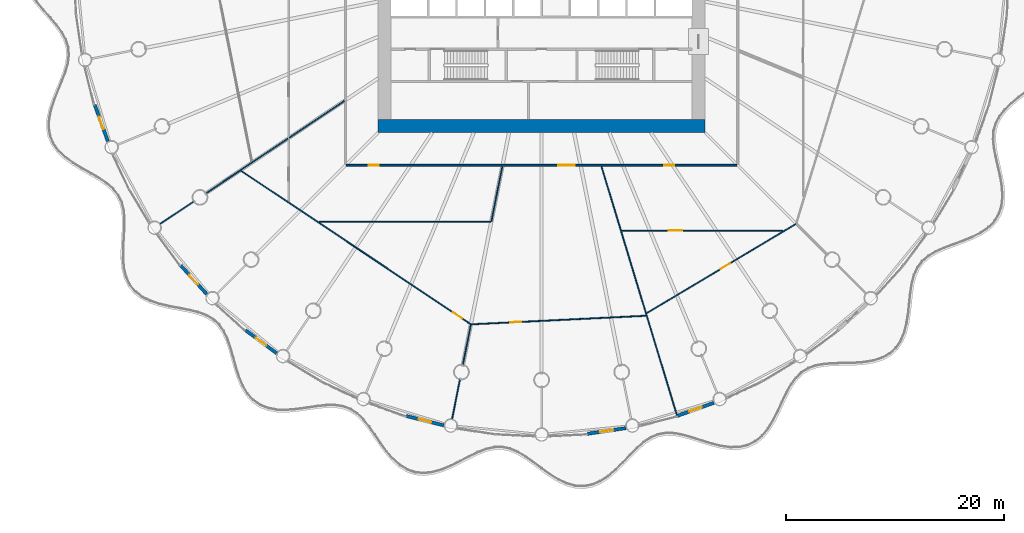
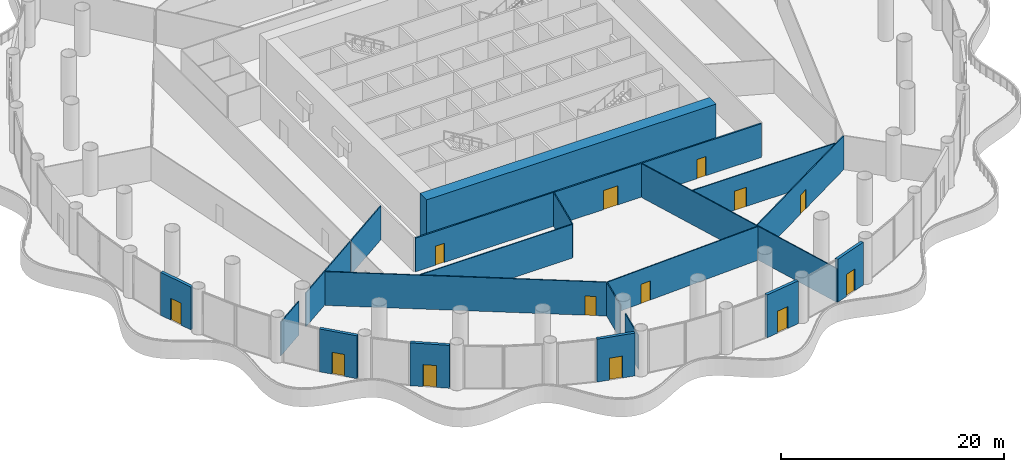
# One storey, part 22 of 35: 20 walls, 13 doors, 13 openings.
"""IFC4 building model written with IfcOpenShell, lengths in metres."""

from ifc_helpers import new_model, si_unit, direction, frame, frame_2d, origin, place, context, subcontext, project, spatial, rectangle, extrude, material, layer, layer_set, type_object, element, fill, save


model = new_model("IFC4")

# Units and contexts
model_context = context("Model", 3, precision=1e-05, world=origin(), true_north=direction((0.0, 1.0)))
body_context = subcontext(model_context, "Body", "Model", "MODEL_VIEW")
ifc_project = project(units=[si_unit("LENGTHUNIT", "METRE"), si_unit("AREAUNIT", "SQUARE_METRE"), si_unit("VOLUMEUNIT", "CUBIC_METRE"), si_unit("PLANEANGLEUNIT", "RADIAN"), si_unit("MASSUNIT", "GRAM", prefix="KILO")], contexts=[model_context])

# Site, building, storey
site_placement = place(None, origin())
site = spatial("IfcSite", under=ifc_project, at=site_placement, CompositionType="ELEMENT")
building_placement = place(site_placement, origin())
building = spatial("IfcBuilding", under=site, at=building_placement, Name="Corvane Civic Tower", CompositionType="ELEMENT")
storey_placement = place(building_placement, frame((0.0, 0.0, 22.0)))
storey = spatial("IfcBuildingStorey", under=building, at=storey_placement, Name="L04", CompositionType="ELEMENT", Elevation=22.0)

# Wall
ifc_material_1 = material(Name="Concrete C80/95", Category="concrete")
ifc_layer_1 = layer(ifc_material_1, 1.199951171875)
ifc_layer_set_1 = layer_set([ifc_layer_1], Name="Concrete C80/95")
wall_type_1 = type_object("IfcWallType", Name="CORE WALL 1200 C80/95", PredefinedType="SHEAR", material=ifc_layer_set_1)
wall_1_placement = place(storey_placement, frame((-15.0, -14.39990234375, 0.0), z_axis=(0.0, 0.0, 1.0), x_axis=(1.0, 0.0, 0.0)))
element("IfcWall", 1, at=wall_1_placement, inside=storey, type_object=wall_type_1, Name="W-L04-core-S", PredefinedType="SHEAR", context=body_context, shape_type="SweptSolid", body=[
    extrude(rectangle(XDim=30.0, YDim=1.199951171875, at=frame_2d((15.0, 0.0))), origin(), (0.0, 0.0, 1.0), 5.0),
])

# Wall, opening, door
ifc_material_2 = material(Name="Terracotta cladding", Category="masonry")
ifc_layer_2 = layer(ifc_material_2, 0.300048828125)
ifc_layer_set_2 = layer_set([ifc_layer_2], Name="Terracotta cladding")
wall_type_2 = type_object("IfcWallType", Name="PODIUM-W-DRUMDOOR-300", PredefinedType="SOLIDWALL", material=ifc_layer_set_2)
wall_2_placement = place(storey_placement, frame((15.80224609375, -39.80126953125, 0.0), z_axis=(0.0, 0.0, 1.0), x_axis=(-0.941550911926, -0.336870717414, 0.0)))
wall_2 = element("IfcWall", 2, at=wall_2_placement, inside=storey, type_object=wall_type_2, Name="L04 drum door bay wall 15", PredefinedType="SOLIDWALL", context=body_context, shape_type="SweptSolid", body=[
    extrude(rectangle(XDim=3.559814453125, YDim=0.300048828125, at=frame_2d((1.77978515625, 0.0))), origin(), (0.0, 0.0, 1.0), 4.699951171875),
])
opening_1_placement = place(wall_2_placement, frame((1.179931640625, 0.0, 0.0)))
opening_1 = element("IfcOpeningElement", 3, at=opening_1_placement, cuts=wall_2, Name="Opening ED-L04-15", PredefinedType="OPENING", context=body_context, shape_type="SweptSolid", body=[
    extrude(rectangle(XDim=1.199951171875, YDim=2.39990234375, at=frame_2d((0.60009765625, 1.199951171875))), frame((0.0, 0.159912109375, 0.0), z_axis=(0.0, -1.0, 0.0), x_axis=(1.0, 0.0, 0.0)), (0.0, 0.0, 1.0), 0.320068359375),
])
ifc_material_3 = material(Name="Anodised aluminium and glass", Category="aluminium")
door_type_1 = type_object("IfcDoorType", Name="PODIUM-D-BALCONY-1200", OperationType="SINGLE_SWING_LEFT", PredefinedType="DOOR", material=ifc_material_3)
door_1_placement = place(opening_1_placement, origin())
door_1 = element("IfcDoor", 4, at=door_1_placement, inside=storey, type_object=door_type_1, Name="L04 balcony door 15", OperationType="SINGLE_SWING_LEFT", OverallHeight=2.39990234375, OverallWidth=1.199951171875, PredefinedType="DOOR", context=body_context, shape_type="SweptSolid", body=[
    extrude(rectangle(XDim=1.199951171875, YDim=2.39990234375, at=frame_2d((0.60009765625, 1.199951171875))), frame((0.0, 0.02490234375, 0.0), z_axis=(0.0, -1.0, 0.0), x_axis=(1.0, 0.0, 0.0)), (0.0, 0.0, 1.0), 0.050048828125),
])
fill(opening_1, door_1)

wall_3_placement = place(storey_placement, frame((7.73388671875, -42.119384765625, 0.0), z_axis=(0.0, 0.0, 1.0), x_axis=(-0.989180988461, -0.146700279714, 0.0)))
wall_3 = element("IfcWall", 5, at=wall_3_placement, inside=storey, type_object=wall_type_2, Name="L04 drum door bay wall 16", PredefinedType="SOLIDWALL", context=body_context, shape_type="SweptSolid", body=[
    extrude(rectangle(XDim=3.559814453125, YDim=0.300048828125, at=frame_2d((1.77978515625, 0.0))), origin(), (0.0, 0.0, 1.0), 4.699951171875),
])
opening_2_placement = place(wall_3_placement, frame((1.179931640625, 0.0, 0.0)))
opening_2 = element("IfcOpeningElement", 6, at=opening_2_placement, cuts=wall_3, Name="Opening ED-L04-16", PredefinedType="OPENING", context=body_context, shape_type="SweptSolid", body=[
    extrude(rectangle(XDim=1.199951171875, YDim=2.39990234375, at=frame_2d((0.60009765625, 1.199951171875))), frame((0.0, 0.159912109375, 0.0), z_axis=(0.0, -1.0, 0.0), x_axis=(1.0, 0.0, 0.0)), (0.0, 0.0, 1.0), 0.320068359375),
])
door_2_placement = place(opening_2_placement, origin())
door_2 = element("IfcDoor", 7, at=door_2_placement, inside=storey, type_object=door_type_1, Name="L04 balcony door 16", OperationType="SINGLE_SWING_RIGHT", OverallHeight=2.39990234375, OverallWidth=1.199951171875, PredefinedType="DOOR", context=body_context, shape_type="SweptSolid", body=[
    extrude(rectangle(XDim=1.199951171875, YDim=2.39990234375, at=frame_2d((0.60009765625, 1.199951171875))), frame((0.0, 0.02490234375, 0.0), z_axis=(0.0, -1.0, 0.0), x_axis=(1.0, 0.0, 0.0)), (0.0, 0.0, 1.0), 0.050048828125),
])
fill(opening_2, door_2)

wall_4_placement = place(storey_placement, frame((-8.973388671875, -41.872802734375, 0.0), z_axis=(0.0, 0.0, 1.0), x_axis=(-0.970025385974, 0.243003601959, 0.0)))
wall_4 = element("IfcWall", 8, at=wall_4_placement, inside=storey, type_object=wall_type_2, Name="L04 drum door bay wall 18", PredefinedType="SOLIDWALL", context=body_context, shape_type="SweptSolid", body=[
    extrude(rectangle(XDim=3.5595703125, YDim=0.300048828125, at=frame_2d((1.77978515625, 0.0))), origin(), (0.0, 0.0, 1.0), 4.699951171875),
])
opening_3_placement = place(wall_4_placement, frame((1.179931640625, 0.0, 0.0)))
opening_3 = element("IfcOpeningElement", 9, at=opening_3_placement, cuts=wall_4, Name="Opening ED-L04-18", PredefinedType="OPENING", context=body_context, shape_type="SweptSolid", body=[
    extrude(rectangle(XDim=1.199951171875, YDim=2.39990234375, at=frame_2d((0.60009765625, 1.199951171875))), frame((0.0, 0.159912109375, 0.0), z_axis=(0.0, -1.0, 0.0), x_axis=(1.0, 0.0, 0.0)), (0.0, 0.0, 1.0), 0.320068359375),
])
door_3_placement = place(opening_3_placement, origin())
door_3 = element("IfcDoor", 10, at=door_3_placement, inside=storey, type_object=door_type_1, Name="L04 balcony door 18", OperationType="SINGLE_SWING_RIGHT", OverallHeight=2.39990234375, OverallWidth=1.199951171875, PredefinedType="DOOR", context=body_context, shape_type="SweptSolid", body=[
    extrude(rectangle(XDim=1.199951171875, YDim=2.39990234375, at=frame_2d((0.60009765625, 1.199951171875))), frame((0.0, 0.02490234375, 0.0), z_axis=(0.0, -1.0, 0.0), x_axis=(1.0, 0.0, 0.0)), (0.0, 0.0, 1.0), 0.050048828125),
])
fill(opening_3, door_3)

wall_5_placement = place(storey_placement, frame((-24.314208984375, -35.25146484375, 0.0), z_axis=(0.0, 0.0, 1.0), x_axis=(-0.803190124061, 0.595722774963, 0.0)))
wall_5 = element("IfcWall", 11, at=wall_5_placement, inside=storey, type_object=wall_type_2, Name="L04 drum door bay wall 20", PredefinedType="SOLIDWALL", context=body_context, shape_type="SweptSolid", body=[
    extrude(rectangle(XDim=3.559814453125, YDim=0.300048828125, at=frame_2d((1.77978515625, 0.0))), origin(), (0.0, 0.0, 1.0), 4.699951171875),
])
opening_4_placement = place(wall_5_placement, frame((1.179931640625, 0.0, 0.0)))
opening_4 = element("IfcOpeningElement", 12, at=opening_4_placement, cuts=wall_5, Name="Opening ED-L04-20", PredefinedType="OPENING", context=body_context, shape_type="SweptSolid", body=[
    extrude(rectangle(XDim=1.199951171875, YDim=2.39990234375, at=frame_2d((0.60009765625, 1.199951171875))), frame((0.0, 0.159912109375, 0.0), z_axis=(0.0, -1.0, 0.0), x_axis=(1.0, 0.0, 0.0)), (0.0, 0.0, 1.0), 0.320068359375),
])
door_4_placement = place(opening_4_placement, origin())
door_4 = element("IfcDoor", 13, at=door_4_placement, inside=storey, type_object=door_type_1, Name="L04 balcony door 20", OperationType="SINGLE_SWING_RIGHT", OverallHeight=2.39990234375, OverallWidth=1.199951171875, PredefinedType="DOOR", context=body_context, shape_type="SweptSolid", body=[
    extrude(rectangle(XDim=1.199951171875, YDim=2.39990234375, at=frame_2d((0.60009765625, 1.199951171875))), frame((0.0, 0.02490234375, 0.0), z_axis=(0.0, -1.0, 0.0), x_axis=(1.0, 0.0, 0.0)), (0.0, 0.0, 1.0), 0.050048828125),
])
fill(opening_4, door_4)

wall_6_placement = place(storey_placement, frame((-30.72412109375, -29.83056640625, 0.0), z_axis=(0.0, 0.0, 1.0), x_axis=(-0.671590022694, 0.740922965913, 0.0)))
wall_6 = element("IfcWall", 14, at=wall_6_placement, inside=storey, type_object=wall_type_2, Name="L04 drum door bay wall 21", PredefinedType="SOLIDWALL", context=body_context, shape_type="SweptSolid", body=[
    extrude(rectangle(XDim=3.56005859375, YDim=0.300048828125, at=frame_2d((1.780029296875, 0.0))), origin(), (0.0, 0.0, 1.0), 4.699951171875),
])
opening_5_placement = place(wall_6_placement, frame((1.179931640625, 0.0, 0.0)))
opening_5 = element("IfcOpeningElement", 15, at=opening_5_placement, cuts=wall_6, Name="Opening ED-L04-21", PredefinedType="OPENING", context=body_context, shape_type="SweptSolid", body=[
    extrude(rectangle(XDim=1.199951171875, YDim=2.39990234375, at=frame_2d((0.60009765625, 1.199951171875))), frame((0.0, 0.159912109375, 0.0), z_axis=(0.0, -1.0, 0.0), x_axis=(1.0, 0.0, 0.0)), (0.0, 0.0, 1.0), 0.320068359375),
])
door_5_placement = place(opening_5_placement, origin())
door_5 = element("IfcDoor", 16, at=door_5_placement, inside=storey, type_object=door_type_1, Name="L04 balcony door 21", OperationType="SINGLE_SWING_LEFT", OverallHeight=2.39990234375, OverallWidth=1.199951171875, PredefinedType="DOOR", context=body_context, shape_type="SweptSolid", body=[
    extrude(rectangle(XDim=1.199951171875, YDim=2.39990234375, at=frame_2d((0.60009765625, 1.199951171875))), frame((0.0, 0.02490234375, 0.0), z_axis=(0.0, -1.0, 0.0), x_axis=(1.0, 0.0, 0.0)), (0.0, 0.0, 1.0), 0.050048828125),
])
fill(opening_5, door_5)

wall_7_placement = place(storey_placement, frame((-39.80126953125, -15.80224609375, 0.0), z_axis=(0.0, 0.0, 1.0), x_axis=(-0.336870717414, 0.941550911926, 0.0)))
wall_7 = element("IfcWall", 17, at=wall_7_placement, inside=storey, type_object=wall_type_2, Name="L04 drum door bay wall 23", PredefinedType="SOLIDWALL", context=body_context, shape_type="SweptSolid", body=[
    extrude(rectangle(XDim=3.559814453125, YDim=0.300048828125, at=frame_2d((1.77978515625, 0.0))), origin(), (0.0, 0.0, 1.0), 4.699951171875),
])
opening_6_placement = place(wall_7_placement, frame((1.179931640625, 0.0, 0.0)))
opening_6 = element("IfcOpeningElement", 18, at=opening_6_placement, cuts=wall_7, Name="Opening ED-L04-23", PredefinedType="OPENING", context=body_context, shape_type="SweptSolid", body=[
    extrude(rectangle(XDim=1.199951171875, YDim=2.39990234375, at=frame_2d((0.60009765625, 1.199951171875))), frame((0.0, 0.159912109375, 0.0), z_axis=(0.0, -1.0, 0.0), x_axis=(1.0, 0.0, 0.0)), (0.0, 0.0, 1.0), 0.320068359375),
])
door_6_placement = place(opening_6_placement, origin())
door_6 = element("IfcDoor", 19, at=door_6_placement, inside=storey, type_object=door_type_1, Name="L04 balcony door 23", OperationType="SINGLE_SWING_LEFT", OverallHeight=2.39990234375, OverallWidth=1.199951171875, PredefinedType="DOOR", context=body_context, shape_type="SweptSolid", body=[
    extrude(rectangle(XDim=1.199951171875, YDim=2.39990234375, at=frame_2d((0.60009765625, 1.199951171875))), frame((0.0, 0.02490234375, 0.0), z_axis=(0.0, -1.0, 0.0), x_axis=(1.0, 0.0, 0.0)), (0.0, 0.0, 1.0), 0.050048828125),
])
fill(opening_6, door_6)

# Walls
ifc_material_4 = material(Name="Plasterboard")
ifc_layer_3 = layer(ifc_material_4, 0.10009765625)
ifc_layer_set_3 = layer_set([ifc_layer_3], Name="Plasterboard")
wall_type_3 = type_object("IfcWallType", Name="Partition 100 plasterboard on studs", PredefinedType="PARTITIONING", material=ifc_layer_set_3)
wall_8_placement = place(storey_placement, frame((-8.21142578125, -41.281494140625, 0.0), z_axis=(0.0, 0.0, 1.0), x_axis=(0.195095468315, 0.980784256727, 0.0)))
element("IfcWall", 20, at=wall_8_placement, inside=storey, type_object=wall_type_3, Name="Partition L04.001", PredefinedType="PARTITIONING", context=body_context, shape_type="SweptSolid", body=[
    extrude(rectangle(XDim=3.680419921875, YDim=0.10009765625, at=frame_2d((1.84033203125, 0.0))), origin(), (0.0, 0.0, 1.0), 3.699951171875),
])
wall_9_placement = place(storey_placement, frame((5.4873046875, -18.089599609375, 0.0), z_axis=(0.0, 0.0, 1.0), x_axis=(0.290288039911, -0.956939315675, 0.0)))
element("IfcWall", 21, at=wall_9_placement, inside=storey, type_object=wall_type_3, Name="Partition L04.002", PredefinedType="PARTITIONING", context=body_context, shape_type="SweptSolid", body=[
    extrude(rectangle(XDim=24.046630859375, YDim=0.10009765625, at=frame_2d((12.0234375, 0.0))), origin(), (0.0, 0.0, 1.0), 3.699951171875),
])
wall_10_placement = place(storey_placement, frame((-7.21630859375, -36.279296875, 0.0), z_axis=(0.0, 0.0, 1.0), x_axis=(0.195041111034, 0.980795067793, 0.0)))
element("IfcWall", 22, at=wall_10_placement, inside=storey, type_object=wall_type_3, Name="Partition L04.003", PredefinedType="PARTITIONING", context=body_context, shape_type="SweptSolid", body=[
    extrude(rectangle(XDim=3.712646484375, YDim=0.10009765625, at=frame_2d((1.8564453125, 0.0))), origin(), (0.0, 0.0, 1.0), 3.699951171875),
])

# Wall, opening, door
wall_11_placement = place(storey_placement, frame((-6.445556640625, -32.597900390625, 0.0), z_axis=(0.0, 0.0, 1.0), x_axis=(0.998795209399, 0.049072697921, 0.0)))
wall_11 = element("IfcWall", 23, at=wall_11_placement, inside=storey, type_object=wall_type_3, Name="Partition L04.004", PredefinedType="PARTITIONING", context=body_context, shape_type="SweptSolid", body=[
    extrude(rectangle(XDim=16.049560546875, YDim=0.10009765625, at=frame_2d((8.02490234375, 0.0))), origin(), (0.0, 0.0, 1.0), 3.699951171875),
])
opening_7_placement = place(wall_11_placement, frame((3.564453125, 0.0, 0.0)))
opening_7 = element("IfcOpeningElement", 24, at=opening_7_placement, cuts=wall_11, Name="Opening L04.020", PredefinedType="OPENING", context=body_context, shape_type="SweptSolid", body=[
    extrude(rectangle(XDim=1.0, YDim=2.10009765625, at=frame_2d((0.5, 1.050048828125))), frame((0.0, 0.06005859375, 0.0), z_axis=(0.0, -1.0, 0.0), x_axis=(1.0, 0.0, 0.0)), (0.0, 0.0, 1.0), 0.1201171875),
])
ifc_material_5 = material(Name="Timber", Category="wood")
door_type_2 = type_object("IfcDoorType", Name="Single door 1000", OperationType="NOTDEFINED", PredefinedType="DOOR", material=ifc_material_5)
door_7_placement = place(opening_7_placement, frame((1.0, 0.0, 0.0), z_axis=(0.0, 0.0, 1.0), x_axis=(-1.0, 0.0, 0.0)))
door_7 = element("IfcDoor", 25, at=door_7_placement, inside=storey, type_object=door_type_2, Name="Door L04.020", OperationType="SINGLE_SWING_LEFT", OverallHeight=2.10009765625, OverallWidth=1.0, PredefinedType="DOOR", context=body_context, shape_type="SweptSolid", body=[
    extrude(rectangle(XDim=1.0, YDim=2.10009765625, at=frame_2d((0.5, 1.050048828125))), frame((0.0, 0.02490234375, 0.0), z_axis=(0.0, -1.0, 0.0), x_axis=(1.0, 0.0, 0.0)), (0.0, 0.0, 1.0), 0.050048828125),
])
fill(opening_7, door_7)

wall_12_placement = place(storey_placement, frame((-27.57470703125, -18.508056640625, 0.0), z_axis=(0.0, 0.0, 1.0), x_axis=(0.831474542745, -0.55556285402, 0.0)))
wall_12 = element("IfcWall", 26, at=wall_12_placement, inside=storey, type_object=wall_type_3, Name="Partition L04.005", PredefinedType="PARTITIONING", context=body_context, shape_type="SweptSolid", body=[
    extrude(rectangle(XDim=25.33154296875, YDim=0.10009765625, at=frame_2d((12.665771484375, 0.0))), origin(), (0.0, 0.0, 1.0), 3.699951171875),
])
opening_8_placement = place(wall_12_placement, frame((23.390869140625, 0.0, 0.0)))
opening_8 = element("IfcOpeningElement", 27, at=opening_8_placement, cuts=wall_12, Name="Opening L04.021", PredefinedType="OPENING", context=body_context, shape_type="SweptSolid", body=[
    extrude(rectangle(XDim=1.0, YDim=2.10009765625, at=frame_2d((0.5, 1.050048828125))), frame((0.0, 0.06005859375, 0.0), z_axis=(0.0, -1.0, 0.0), x_axis=(1.0, 0.0, 0.0)), (0.0, 0.0, 1.0), 0.1201171875),
])
door_8_placement = place(opening_8_placement, frame((1.0, 0.0, 0.0), z_axis=(0.0, 0.0, 1.0), x_axis=(-1.0, 0.0, 0.0)))
door_8 = element("IfcDoor", 28, at=door_8_placement, inside=storey, type_object=door_type_2, Name="Door L04.021", OperationType="SINGLE_SWING_RIGHT", OverallHeight=2.10009765625, OverallWidth=1.0, PredefinedType="DOOR", context=body_context, shape_type="SweptSolid", body=[
    extrude(rectangle(XDim=1.0, YDim=2.10009765625, at=frame_2d((0.5, 1.050048828125))), frame((0.0, 0.02490234375, 0.0), z_axis=(0.0, -1.0, 0.0), x_axis=(1.0, 0.0, 0.0)), (0.0, 0.0, 1.0), 0.050048828125),
])
fill(opening_8, door_8)

wall_13_placement = place(storey_placement, frame((9.6455078125, -31.582763671875, 0.0), z_axis=(0.0, 0.0, 1.0), x_axis=(0.857725106547, 0.514108589307, 0.0)))
wall_13 = element("IfcWall", 29, at=wall_13_placement, inside=storey, type_object=wall_type_3, Name="Partition L04.006", PredefinedType="PARTITIONING", context=body_context, shape_type="SweptSolid", body=[
    extrude(rectangle(XDim=15.9521484375, YDim=0.10009765625, at=frame_2d((7.97607421875, 0.0))), origin(), (0.0, 0.0, 1.0), 3.699951171875),
])
opening_9_placement = place(wall_13_placement, frame((7.926025390625, 0.0, 0.0)))
opening_9 = element("IfcOpeningElement", 30, at=opening_9_placement, cuts=wall_13, Name="Opening L04.015", PredefinedType="OPENING", context=body_context, shape_type="SweptSolid", body=[
    extrude(rectangle(XDim=1.0, YDim=2.10009765625, at=frame_2d((0.5, 1.050048828125))), frame((0.0, 0.06005859375, 0.0), z_axis=(0.0, -1.0, 0.0), x_axis=(1.0, 0.0, 0.0)), (0.0, 0.0, 1.0), 0.1201171875),
])
door_9_placement = place(opening_9_placement, frame((1.0, 0.0, 0.0), z_axis=(0.0, 0.0, 1.0), x_axis=(-1.0, 0.0, 0.0)))
door_9 = element("IfcDoor", 31, at=door_9_placement, inside=storey, type_object=door_type_2, Name="Door L04.015", OperationType="SINGLE_SWING_RIGHT", OverallHeight=2.10009765625, OverallWidth=1.0, PredefinedType="DOOR", context=body_context, shape_type="SweptSolid", body=[
    extrude(rectangle(XDim=1.0, YDim=2.10009765625, at=frame_2d((0.5, 1.050048828125))), frame((0.0, 0.02490234375, 0.0), z_axis=(0.0, -1.0, 0.0), x_axis=(1.0, 0.0, 0.0)), (0.0, 0.0, 1.0), 0.050048828125),
])
fill(opening_9, door_9)

wall_14_placement = place(storey_placement, frame((7.34765625, -24.0, 0.0), z_axis=(0.0, 0.0, 1.0), x_axis=(1.0, 0.0, 0.0)))
wall_14 = element("IfcWall", 32, at=wall_14_placement, inside=storey, type_object=wall_type_3, Name="Partition L04.009", PredefinedType="PARTITIONING", context=body_context, shape_type="SweptSolid", body=[
    extrude(rectangle(XDim=14.76806640625, YDim=0.10009765625, at=frame_2d((7.384033203125, 0.0))), origin(), (0.0, 0.0, 1.0), 3.699951171875),
])
opening_10_placement = place(wall_14_placement, frame((4.3427734375, 0.0, 0.0)))
opening_10 = element("IfcOpeningElement", 33, at=opening_10_placement, cuts=wall_14, Name="Opening L04.016", PredefinedType="OPENING", context=body_context, shape_type="SweptSolid", body=[
    extrude(rectangle(XDim=1.199951171875, YDim=2.10009765625, at=frame_2d((0.60009765625, 1.050048828125))), frame((0.0, 0.06005859375, 0.0), z_axis=(0.0, -1.0, 0.0), x_axis=(1.0, 0.0, 0.0)), (0.0, 0.0, 1.0), 0.1201171875),
])
ifc_material_6 = material(Name="Timber", Category="wood")
door_type_3 = type_object("IfcDoorType", Name="Double door 1200", OperationType="NOTDEFINED", PredefinedType="DOOR", material=ifc_material_6)
door_10_placement = place(opening_10_placement, frame((1.199951171875, 0.0, 0.0), z_axis=(0.0, 0.0, 1.0), x_axis=(-1.0, 0.0, 0.0)))
door_10 = element("IfcDoor", 34, at=door_10_placement, inside=storey, type_object=door_type_3, Name="Door L04.016", OperationType="DOUBLE_DOOR_SINGLE_SWING", OverallHeight=2.10009765625, OverallWidth=1.199951171875, PredefinedType="DOOR", context=body_context, shape_type="SweptSolid", body=[
    extrude(rectangle(XDim=1.199951171875, YDim=2.10009765625, at=frame_2d((0.60009765625, 1.050048828125))), frame((0.0, 0.02490234375, 0.0), z_axis=(0.0, -1.0, 0.0), x_axis=(1.0, 0.0, 0.0)), (0.0, 0.0, 1.0), 0.050048828125),
])
fill(opening_10, door_10)

# Walls
wall_15_placement = place(storey_placement, frame((-34.99658203125, -23.3837890625, 0.0), z_axis=(0.0, 0.0, 1.0), x_axis=(0.831508927146, 0.555511389691, 0.0)))
element("IfcWall", 35, at=wall_15_placement, inside=storey, type_object=wall_type_3, Name="Partition L04.010", PredefinedType="PARTITIONING", context=body_context, shape_type="SweptSolid", body=[
    extrude(rectangle(XDim=3.679931640625, YDim=0.10009765625, at=frame_2d((1.83984375, 0.0))), origin(), (0.0, 0.0, 1.0), 3.699951171875),
])
wall_16_placement = place(storey_placement, frame((-20.3876953125, -23.199951171875, 0.0), z_axis=(0.0, 0.0, 1.0), x_axis=(1.0, 0.0, 0.0)))
element("IfcWall", 36, at=wall_16_placement, inside=storey, type_object=wall_type_3, Name="Partition L04.012", PredefinedType="PARTITIONING", context=body_context, shape_type="SweptSolid", body=[
    extrude(rectangle(XDim=15.73193359375, YDim=0.10009765625, at=frame_2d((7.865966796875, 0.0))), origin(), (0.0, 0.0, 1.0), 3.699951171875),
])
wall_17_placement = place(storey_placement, frame((-4.606689453125, -23.159912109375, 0.0), z_axis=(0.0, 0.0, 1.0), x_axis=(0.195045377284, 0.980794219396, 0.0)))
element("IfcWall", 37, at=wall_17_placement, inside=storey, type_object=wall_type_3, Name="Partition L04.013", PredefinedType="PARTITIONING", context=body_context, shape_type="SweptSolid", body=[
    extrude(rectangle(XDim=5.174560546875, YDim=0.10009765625, at=frame_2d((2.58740234375, 0.0))), origin(), (0.0, 0.0, 1.0), 3.699951171875),
])
wall_18_placement = place(storey_placement, frame((-30.756103515625, -20.550537109375, 0.0), z_axis=(0.0, 0.0, 1.0), x_axis=(0.831469359739, 0.555570611008, 0.0)))
element("IfcWall", 38, at=wall_18_placement, inside=storey, type_object=wall_type_3, Name="Partition L04.017", PredefinedType="PARTITIONING", context=body_context, shape_type="SweptSolid", body=[
    extrude(rectangle(XDim=8.994140625, YDim=0.10009765625, at=frame_2d((4.4970703125, 0.0))), origin(), (0.0, 0.0, 1.0), 3.699951171875),
])
wall_19_placement = place(storey_placement, frame((-23.13330078125, -15.457275390625, 0.0), z_axis=(0.0, 0.0, 1.0), x_axis=(0.831466272551, 0.555575231278, 0.0)))
element("IfcWall", 39, at=wall_19_placement, inside=storey, type_object=wall_type_3, Name="Partition L04.022", PredefinedType="PARTITIONING", context=body_context, shape_type="SweptSolid", body=[
    extrude(rectangle(XDim=6.05029296875, YDim=0.10009765625, at=frame_2d((3.025146484375, 0.0))), origin(), (0.0, 0.0, 1.0), 3.699951171875),
])

# Wall, openings, doors
ifc_material_7 = material(Name="Plasterboard")
ifc_layer_4 = layer(ifc_material_7, 0.14990234375)
ifc_layer_set_4 = layer_set([ifc_layer_4], Name="Plasterboard")
wall_type_4 = type_object("IfcWallType", Name="Tenancy wall 150 EI 60", PredefinedType="PARTITIONING", material=ifc_layer_set_4)
wall_20_placement = place(storey_placement, frame((-17.925048828125, -18.0, 0.0), z_axis=(0.0, 0.0, 1.0), x_axis=(1.0, 0.0, 0.0)))
wall_20 = element("IfcWall", 40, at=wall_20_placement, inside=storey, type_object=wall_type_4, Name="Partition L04.018", PredefinedType="PARTITIONING", context=body_context, shape_type="SweptSolid", body=[
    extrude(rectangle(XDim=35.85009765625, YDim=0.14990234375, at=frame_2d((17.925048828125, 0.0))), origin(), (0.0, 0.0, 1.0), 3.699951171875),
])
opening_11_placement = place(wall_20_placement, frame((29.177978515625, 0.0, 0.0)))
opening_11 = element("IfcOpeningElement", 41, at=opening_11_placement, cuts=wall_20, Name="Opening L04.019", PredefinedType="OPENING", context=body_context, shape_type="SweptSolid", body=[
    extrude(rectangle(XDim=0.89990234375, YDim=2.10009765625, at=frame_2d((0.449951171875, 1.050048828125))), frame((0.0, 0.0849609375, 0.0), z_axis=(0.0, -1.0, 0.0), x_axis=(1.0, 0.0, 0.0)), (0.0, 0.0, 1.0), 0.169921875),
])
opening_12_placement = place(wall_20_placement, frame((19.45849609375, 0.0, 0.0)))
opening_12 = element("IfcOpeningElement", 42, at=opening_12_placement, cuts=wall_20, Name="Opening L04.022", PredefinedType="OPENING", context=body_context, shape_type="SweptSolid", body=[
    extrude(rectangle(XDim=1.5, YDim=2.10009765625, at=frame_2d((0.75, 1.050048828125))), frame((0.0, 0.0849609375, 0.0), z_axis=(0.0, -1.0, 0.0), x_axis=(1.0, 0.0, 0.0)), (0.0, 0.0, 1.0), 0.169921875),
])
opening_13_placement = place(wall_20_placement, frame((2.073974609375, 0.0, 0.0)))
opening_13 = element("IfcOpeningElement", 43, at=opening_13_placement, cuts=wall_20, Name="Opening L04.024", PredefinedType="OPENING", context=body_context, shape_type="SweptSolid", body=[
    extrude(rectangle(XDim=0.89990234375, YDim=2.10009765625, at=frame_2d((0.449951171875, 1.050048828125))), frame((0.0, 0.0849609375, 0.0), z_axis=(0.0, -1.0, 0.0), x_axis=(1.0, 0.0, 0.0)), (0.0, 0.0, 1.0), 0.169921875),
])
ifc_material_8 = material(Name="Steel and timber", Category="steel")
door_type_4 = type_object("IfcDoorType", Name="Fire door FD30S 900", OperationType="NOTDEFINED", PredefinedType="DOOR", material=ifc_material_8)
door_11_placement = place(opening_11_placement, frame((0.89990234375, 0.0, 0.0), z_axis=(0.0, 0.0, 1.0), x_axis=(-1.0, 0.0, 0.0)))
door_11 = element("IfcDoor", 44, at=door_11_placement, inside=storey, type_object=door_type_4, Name="Door L04.019", OperationType="SINGLE_SWING_LEFT", OverallHeight=2.10009765625, OverallWidth=0.89990234375, PredefinedType="DOOR", context=body_context, shape_type="SweptSolid", body=[
    extrude(rectangle(XDim=0.89990234375, YDim=2.10009765625, at=frame_2d((0.449951171875, 1.050048828125))), frame((0.0, 0.02490234375, 0.0), z_axis=(0.0, -1.0, 0.0), x_axis=(1.0, 0.0, 0.0)), (0.0, 0.0, 1.0), 0.050048828125),
])
fill(opening_11, door_11)
door_12_placement = place(opening_13_placement, frame((0.89990234375, 0.0, 0.0), z_axis=(0.0, 0.0, 1.0), x_axis=(-1.0, 0.0, 0.0)))
door_12 = element("IfcDoor", 45, at=door_12_placement, inside=storey, type_object=door_type_4, Name="Door L04.024", OperationType="SINGLE_SWING_RIGHT", OverallHeight=2.10009765625, OverallWidth=0.89990234375, PredefinedType="DOOR", context=body_context, shape_type="SweptSolid", body=[
    extrude(rectangle(XDim=0.89990234375, YDim=2.10009765625, at=frame_2d((0.449951171875, 1.050048828125))), frame((0.0, 0.02490234375, 0.0), z_axis=(0.0, -1.0, 0.0), x_axis=(1.0, 0.0, 0.0)), (0.0, 0.0, 1.0), 0.050048828125),
])
fill(opening_13, door_12)
ifc_material_9 = material(Name="Steel and timber", Category="steel")
door_type_5 = type_object("IfcDoorType", Name="Fire door FD60 double 1500", OperationType="NOTDEFINED", PredefinedType="DOOR", material=ifc_material_9)
door_13_placement = place(opening_12_placement, frame((1.5, 0.0, 0.0), z_axis=(0.0, 0.0, 1.0), x_axis=(-1.0, 0.0, 0.0)))
door_13 = element("IfcDoor", 46, at=door_13_placement, inside=storey, type_object=door_type_5, Name="Door L04.022", OperationType="DOUBLE_DOOR_SINGLE_SWING", OverallHeight=2.10009765625, OverallWidth=1.5, PredefinedType="DOOR", context=body_context, shape_type="SweptSolid", body=[
    extrude(rectangle(XDim=1.5, YDim=2.10009765625, at=frame_2d((0.75, 1.050048828125))), frame((0.0, 0.02490234375, 0.0), z_axis=(0.0, -1.0, 0.0), x_axis=(1.0, 0.0, 0.0)), (0.0, 0.0, 1.0), 0.050048828125),
])
fill(opening_12, door_13)

save(model, "model.ifc")
